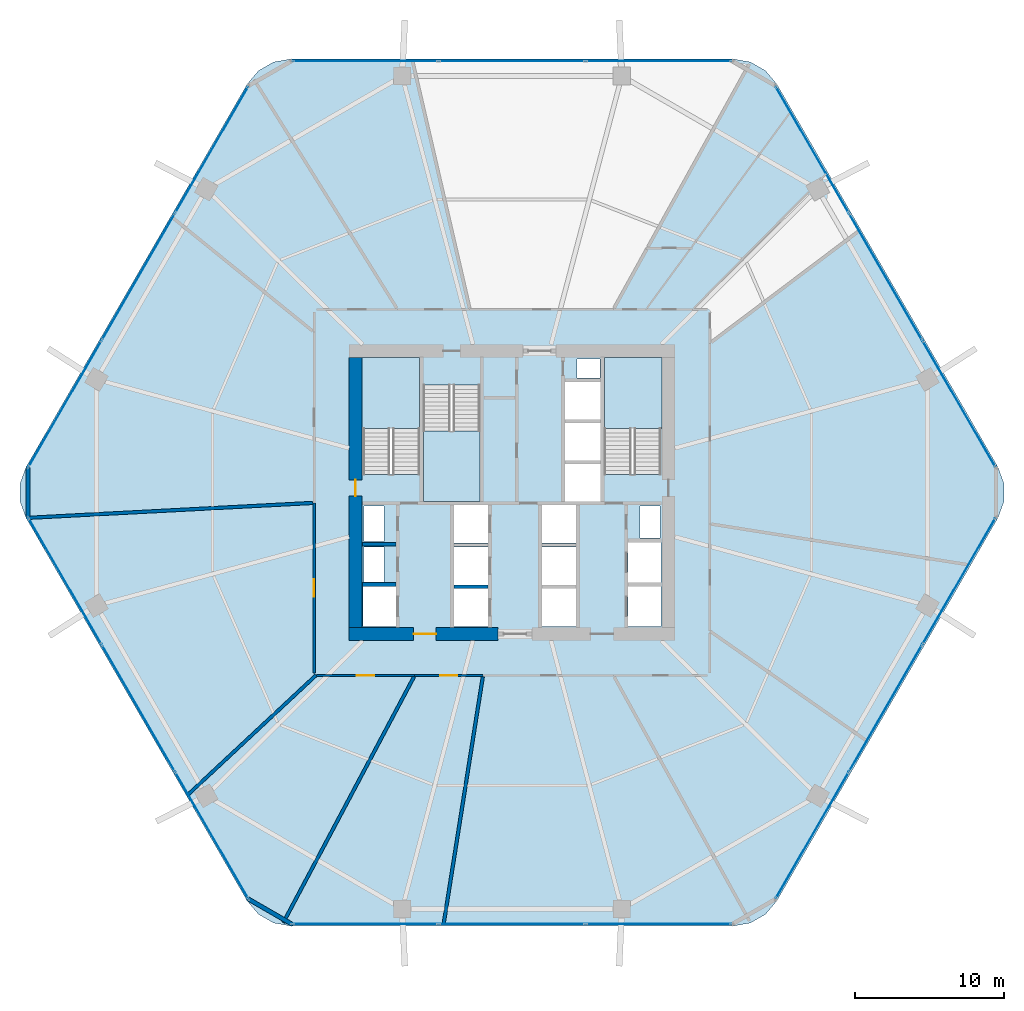
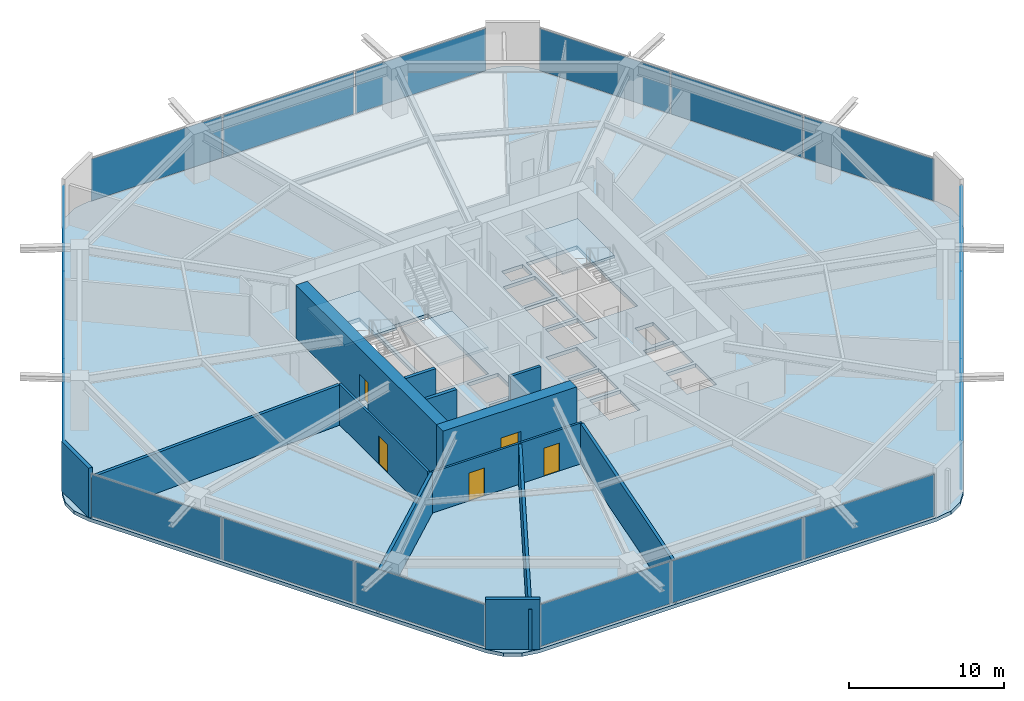
# One storey, part 21 of 26: 18 plates, 14 walls, 5 doors, 4 slabs, 5 openings, 9 elements without a shape of their own.
"""IFC4 building model written with IfcOpenShell, lengths in metres."""

from ifc_helpers import new_model, si_unit, direction, frame, frame_2d, origin, origin_2d, place, context, subcontext, project, spatial, polyline, rectangle, outline, extrude, material, layer, layer_set, type_object, element, fill, aggregate, save


model = new_model("IFC4")

# Units and contexts
model_context = context("Model", 3, precision=1e-05, world=origin(), true_north=direction((0.0, 1.0)))
body_context = subcontext(model_context, "Body", "Model", "MODEL_VIEW")
ifc_project = project(units=[si_unit("LENGTHUNIT", "METRE"), si_unit("AREAUNIT", "SQUARE_METRE"), si_unit("VOLUMEUNIT", "CUBIC_METRE"), si_unit("PLANEANGLEUNIT", "RADIAN"), si_unit("MASSUNIT", "GRAM", prefix="KILO")], contexts=[model_context])

# Site, building, storey
site_placement = place(None, origin())
site = spatial("IfcSite", under=ifc_project, at=site_placement, CompositionType="ELEMENT")
building_placement = place(site_placement, origin())
building = spatial("IfcBuilding", under=site, at=building_placement, Name="Zuhravey Tower", CompositionType="ELEMENT")
storey_placement = place(building_placement, frame((0.0, 0.0, 28.800048828125)))
storey = spatial("IfcBuildingStorey", under=building, at=storey_placement, Name="L07", CompositionType="ELEMENT", Elevation=28.800048828125)

# Curtain wall, plates
ifc_material_1 = material(Name="Thermally broken anodised aluminium", Category="aluminium")
curtain_wall_type = type_object("IfcCurtainWallType", Name="School Low-E Unitised Curtain Wall CW1", PredefinedType="NOTDEFINED", material=ifc_material_1)
curtain_wall_1_placement = place(storey_placement, origin())
curtain_wall_1 = element("IfcCurtainWall", 1, at=curtain_wall_1_placement, inside=storey, type_object=curtain_wall_type, Name="L07 CW1 CW-L07-F6-1", PredefinedType="NOTDEFINED")
ifc_material_2 = material(Name="Laminated acoustic low-E vision glass", Category="glass")
ifc_layer_1 = layer(ifc_material_2, 0.048095703125)
ifc_layer_set_1 = layer_set([ifc_layer_1], Name="Laminated acoustic low-E vision glass")
plate_type = type_object("IfcPlateType", Name="Acoustic School Vision Panel", PredefinedType="CURTAIN_PANEL", material=ifc_layer_set_1)
plate_1_placement = place(storey_placement, frame((66.000732421875, 26.045654296875, 0.08984375), z_axis=(0.0, 0.0, 1.0), x_axis=(-0.499999794119, -0.86602552265, 0.0)))
plate_1 = element("IfcPlate", 2, at=plate_1_placement, type_object=plate_type, Name="CW1 panel 1.1", PredefinedType="CURTAIN_PANEL", context=body_context, shape_type="SweptSolid", body=[
    extrude(rectangle(XDim=9.7314453125, YDim=0.048095703125, at=origin_2d()), origin(), (0.0, 0.0, 1.0), 3.31201171875),
])
plate_2_placement = place(storey_placement, frame((61.078857421875, 17.520751953125, 0.08984375), z_axis=(0.0, 0.0, 1.0), x_axis=(-0.499999794119, -0.86602552265, 0.0)))
plate_2 = element("IfcPlate", 3, at=plate_2_placement, type_object=plate_type, Name="CW1 panel 2.1", PredefinedType="CURTAIN_PANEL", context=body_context, shape_type="SweptSolid", body=[
    extrude(rectangle(XDim=9.7763671875, YDim=0.048095703125, at=origin_2d()), origin(), (0.0, 0.0, 1.0), 3.31201171875),
])
plate_3_placement = place(storey_placement, frame((56.15673828125, 8.995849609375, 0.08984375), z_axis=(0.0, 0.0, 1.0), x_axis=(-0.499999794119, -0.86602552265, 0.0)))
plate_3 = element("IfcPlate", 4, at=plate_3_placement, type_object=plate_type, Name="CW1 panel 3.1", PredefinedType="CURTAIN_PANEL", context=body_context, shape_type="SweptSolid", body=[
    extrude(rectangle(XDim=9.7314453125, YDim=0.048095703125, at=origin_2d()), origin(), (0.0, 0.0, 1.0), 3.31201171875),
])
aggregate(curtain_wall_1, [plate_1, plate_2, plate_3])

curtain_wall_2_placement = place(storey_placement, origin())
curtain_wall_2 = element("IfcCurtainWall", 5, at=curtain_wall_2_placement, inside=storey, type_object=curtain_wall_type, Name="L07 CW1 CW-L07-F5-1", PredefinedType="NOTDEFINED")
plate_4_placement = place(storey_placement, frame((45.84375, 3.04150390625, 0.08984375), z_axis=(0.0, 0.0, 1.0), x_axis=(-1.0, 0.0, 0.0)))
plate_4 = element("IfcPlate", 6, at=plate_4_placement, type_object=plate_type, Name="CW1 panel 1.1", PredefinedType="CURTAIN_PANEL", context=body_context, shape_type="SweptSolid", body=[
    extrude(rectangle(XDim=9.7314453125, YDim=0.048095703125, at=origin_2d()), origin(), (0.0, 0.0, 1.0), 3.31201171875),
])
plate_5_placement = place(storey_placement, frame((36.0, 3.04150390625, 0.08984375), z_axis=(0.0, 0.0, 1.0), x_axis=(-1.0, 0.0, 0.0)))
plate_5 = element("IfcPlate", 7, at=plate_5_placement, type_object=plate_type, Name="CW1 panel 2.1", PredefinedType="CURTAIN_PANEL", context=body_context, shape_type="SweptSolid", body=[
    extrude(rectangle(XDim=9.7763671875, YDim=0.048095703125, at=origin_2d()), origin(), (0.0, 0.0, 1.0), 3.31201171875),
])
plate_6_placement = place(storey_placement, frame((26.15625, 3.04150390625, 0.08984375), z_axis=(0.0, 0.0, 1.0), x_axis=(-1.0, 0.0, 0.0)))
plate_6 = element("IfcPlate", 8, at=plate_6_placement, type_object=plate_type, Name="CW1 panel 3.1", PredefinedType="CURTAIN_PANEL", context=body_context, shape_type="SweptSolid", body=[
    extrude(rectangle(XDim=9.7314453125, YDim=0.048095703125, at=origin_2d()), origin(), (0.0, 0.0, 1.0), 3.31201171875),
])
aggregate(curtain_wall_2, [plate_4, plate_5, plate_6])

curtain_wall_3_placement = place(storey_placement, origin())
curtain_wall_3 = element("IfcCurtainWall", 9, at=curtain_wall_3_placement, inside=storey, type_object=curtain_wall_type, Name="L07 CW1 CW-L07-F4-1", PredefinedType="NOTDEFINED")
plate_7_placement = place(storey_placement, frame((15.84326171875, 8.995849609375, 0.08984375), z_axis=(0.0, 0.0, 1.0), x_axis=(-0.499999794119, 0.86602552265, 0.0)))
plate_7 = element("IfcPlate", 10, at=plate_7_placement, type_object=plate_type, Name="CW1 panel 1.1", PredefinedType="CURTAIN_PANEL", context=body_context, shape_type="SweptSolid", body=[
    extrude(rectangle(XDim=9.7314453125, YDim=0.048095703125, at=origin_2d()), origin(), (0.0, 0.0, 1.0), 3.31201171875),
])
plate_8_placement = place(storey_placement, frame((10.921142578125, 17.520751953125, 0.08984375), z_axis=(0.0, 0.0, 1.0), x_axis=(-0.499999794119, 0.86602552265, 0.0)))
plate_8 = element("IfcPlate", 11, at=plate_8_placement, type_object=plate_type, Name="CW1 panel 2.1", PredefinedType="CURTAIN_PANEL", context=body_context, shape_type="SweptSolid", body=[
    extrude(rectangle(XDim=9.7763671875, YDim=0.048095703125, at=origin_2d()), origin(), (0.0, 0.0, 1.0), 3.31201171875),
])
plate_9_placement = place(storey_placement, frame((5.999267578125, 26.045654296875, 0.08984375), z_axis=(0.0, 0.0, 1.0), x_axis=(-0.499999794119, 0.86602552265, 0.0)))
plate_9 = element("IfcPlate", 12, at=plate_9_placement, type_object=plate_type, Name="CW1 panel 3.1", PredefinedType="CURTAIN_PANEL", context=body_context, shape_type="SweptSolid", body=[
    extrude(rectangle(XDim=9.7314453125, YDim=0.048095703125, at=origin_2d()), origin(), (0.0, 0.0, 1.0), 3.31201171875),
])
aggregate(curtain_wall_3, [plate_7, plate_8, plate_9])

curtain_wall_4_placement = place(storey_placement, origin())
curtain_wall_4 = element("IfcCurtainWall", 13, at=curtain_wall_4_placement, inside=storey, type_object=curtain_wall_type, Name="L07 CW1 CW-L07-F3-1", PredefinedType="NOTDEFINED")
plate_10_placement = place(storey_placement, frame((5.999267578125, 37.954345703125, 0.08984375), z_axis=(0.0, 0.0, 1.0), x_axis=(0.499999794119, 0.86602552265, 0.0)))
plate_10 = element("IfcPlate", 14, at=plate_10_placement, type_object=plate_type, Name="CW1 panel 1.1", PredefinedType="CURTAIN_PANEL", context=body_context, shape_type="SweptSolid", body=[
    extrude(rectangle(XDim=9.7314453125, YDim=0.048095703125, at=origin_2d()), origin(), (0.0, 0.0, 1.0), 3.31201171875),
])
plate_11_placement = place(storey_placement, frame((10.921142578125, 46.479248046875, 0.08984375), z_axis=(0.0, 0.0, 1.0), x_axis=(0.499999794119, 0.86602552265, 0.0)))
plate_11 = element("IfcPlate", 15, at=plate_11_placement, type_object=plate_type, Name="CW1 panel 2.1", PredefinedType="CURTAIN_PANEL", context=body_context, shape_type="SweptSolid", body=[
    extrude(rectangle(XDim=9.7763671875, YDim=0.048095703125, at=origin_2d()), origin(), (0.0, 0.0, 1.0), 3.31201171875),
])
plate_12_placement = place(storey_placement, frame((15.84326171875, 55.004150390625, 0.08984375), z_axis=(0.0, 0.0, 1.0), x_axis=(0.499999794119, 0.86602552265, 0.0)))
plate_12 = element("IfcPlate", 16, at=plate_12_placement, type_object=plate_type, Name="CW1 panel 3.1", PredefinedType="CURTAIN_PANEL", context=body_context, shape_type="SweptSolid", body=[
    extrude(rectangle(XDim=9.7314453125, YDim=0.048095703125, at=origin_2d()), origin(), (0.0, 0.0, 1.0), 3.31201171875),
])
aggregate(curtain_wall_4, [plate_10, plate_11, plate_12])

curtain_wall_5_placement = place(storey_placement, origin())
curtain_wall_5 = element("IfcCurtainWall", 17, at=curtain_wall_5_placement, inside=storey, type_object=curtain_wall_type, Name="L07 CW1 CW-L07-F2-1", PredefinedType="NOTDEFINED")
plate_13_placement = place(storey_placement, frame((26.15625, 60.95849609375, 0.08984375), z_axis=(0.0, 0.0, 1.0), x_axis=(1.0, 0.0, 0.0)))
plate_13 = element("IfcPlate", 18, at=plate_13_placement, type_object=plate_type, Name="CW1 panel 1.1", PredefinedType="CURTAIN_PANEL", context=body_context, shape_type="SweptSolid", body=[
    extrude(rectangle(XDim=9.7314453125, YDim=0.048095703125, at=origin_2d()), origin(), (0.0, 0.0, 1.0), 3.31201171875),
])
plate_14_placement = place(storey_placement, frame((36.0, 60.95849609375, 0.08984375), z_axis=(0.0, 0.0, 1.0), x_axis=(1.0, 0.0, 0.0)))
plate_14 = element("IfcPlate", 19, at=plate_14_placement, type_object=plate_type, Name="CW1 panel 2.1", PredefinedType="CURTAIN_PANEL", context=body_context, shape_type="SweptSolid", body=[
    extrude(rectangle(XDim=9.7763671875, YDim=0.048095703125, at=origin_2d()), origin(), (0.0, 0.0, 1.0), 3.31201171875),
])
plate_15_placement = place(storey_placement, frame((45.84375, 60.95849609375, 0.08984375), z_axis=(0.0, 0.0, 1.0), x_axis=(1.0, 0.0, 0.0)))
plate_15 = element("IfcPlate", 20, at=plate_15_placement, type_object=plate_type, Name="CW1 panel 3.1", PredefinedType="CURTAIN_PANEL", context=body_context, shape_type="SweptSolid", body=[
    extrude(rectangle(XDim=9.7314453125, YDim=0.048095703125, at=origin_2d()), origin(), (0.0, 0.0, 1.0), 3.31201171875),
])
aggregate(curtain_wall_5, [plate_13, plate_14, plate_15])

curtain_wall_6_placement = place(storey_placement, origin())
curtain_wall_6 = element("IfcCurtainWall", 21, at=curtain_wall_6_placement, inside=storey, type_object=curtain_wall_type, Name="L07 CW1 CW-L07-F1-1", PredefinedType="NOTDEFINED")
plate_16_placement = place(storey_placement, frame((56.15673828125, 55.004150390625, 0.08984375), z_axis=(0.0, 0.0, 1.0), x_axis=(0.499999794119, -0.86602552265, 0.0)))
plate_16 = element("IfcPlate", 22, at=plate_16_placement, type_object=plate_type, Name="CW1 panel 1.1", PredefinedType="CURTAIN_PANEL", context=body_context, shape_type="SweptSolid", body=[
    extrude(rectangle(XDim=9.7314453125, YDim=0.048095703125, at=origin_2d()), origin(), (0.0, 0.0, 1.0), 3.31201171875),
])
plate_17_placement = place(storey_placement, frame((61.078857421875, 46.479248046875, 0.08984375), z_axis=(0.0, 0.0, 1.0), x_axis=(0.499999794119, -0.86602552265, 0.0)))
plate_17 = element("IfcPlate", 23, at=plate_17_placement, type_object=plate_type, Name="CW1 panel 2.1", PredefinedType="CURTAIN_PANEL", context=body_context, shape_type="SweptSolid", body=[
    extrude(rectangle(XDim=9.7763671875, YDim=0.048095703125, at=origin_2d()), origin(), (0.0, 0.0, 1.0), 3.31201171875),
])
plate_18_placement = place(storey_placement, frame((66.000732421875, 37.954345703125, 0.08984375), z_axis=(0.0, 0.0, 1.0), x_axis=(0.499999794119, -0.86602552265, 0.0)))
plate_18 = element("IfcPlate", 24, at=plate_18_placement, type_object=plate_type, Name="CW1 panel 3.1", PredefinedType="CURTAIN_PANEL", context=body_context, shape_type="SweptSolid", body=[
    extrude(rectangle(XDim=9.7314453125, YDim=0.048095703125, at=origin_2d()), origin(), (0.0, 0.0, 1.0), 3.31201171875),
])
aggregate(curtain_wall_6, [plate_16, plate_17, plate_18])

# Slab
ifc_material_3 = material(Name="Concrete C50/60", Category="concrete")
ifc_layer_2 = layer(ifc_material_3, 0.280029296875)
ifc_layer_set_2 = layer_set([ifc_layer_2], Name="Concrete C50/60")
slab_type_1 = type_object("IfcSlabType", Name="School Composite Floor Slab 280", PredefinedType="FLOOR", material=ifc_layer_set_2)
slab_1_placement = place(storey_placement, frame((0.0, 0.0, -0.280029296875)))
element("IfcSlab", 25, at=slab_1_placement, inside=storey, type_object=slab_type_1, Name="L07 Floor Slab FS28", PredefinedType="FLOOR", context=body_context, shape_type="SweptSolid", body=[
    extrude(outline(polyline([(68.618408203125, 30.300048828125), (69.0224609375, 31.40966796875), (69.0224609375, 32.59033203125), (68.618408203125, 33.699951171875), (53.781494140625, 59.3984375), (53.0224609375, 60.302978515625), (52.0, 60.893310546875), (50.8369140625, 61.098388671875), (21.1630859375, 61.098388671875), (20.0, 60.893310546875), (18.9775390625, 60.302978515625), (18.218505859375, 59.3984375), (3.381591796875, 33.699951171875), (2.9775390625, 32.59033203125), (2.9775390625, 31.40966796875), (3.381591796875, 30.300048828125), (18.218505859375, 4.6015625), (18.9775390625, 3.697021484375), (20.0, 3.106689453125), (21.1630859375, 2.901611328125), (50.8369140625, 2.901611328125), (52.0, 3.106689453125), (53.0224609375, 3.697021484375), (53.781494140625, 4.6015625), (68.618408203125, 30.300048828125)]), holes=[polyline([(29.800048828125, 33.20068359375), (29.800048828125, 41.0), (26.0, 41.0), (26.0, 33.20068359375), (29.800048828125, 33.20068359375)]), polyline([(46.0, 33.20068359375), (46.0, 41.0), (42.199951171875, 41.0), (42.199951171875, 33.20068359375), (46.0, 33.20068359375)]), polyline([(30.050048828125, 39.199462890625), (30.050048828125, 31.39990234375), (33.85009765625, 31.39990234375), (33.85009765625, 39.199462890625), (30.050048828125, 39.199462890625)]), polyline([(32.10009765625, 23.0), (34.39990234375, 23.0), (34.39990234375, 25.550048828125), (32.10009765625, 25.550048828125), (32.10009765625, 23.0)]), polyline([(32.10009765625, 25.800048828125), (34.39990234375, 25.800048828125), (34.39990234375, 28.35009765625), (32.10009765625, 28.35009765625), (32.10009765625, 25.800048828125)]), polyline([(32.10009765625, 28.60009765625), (34.39990234375, 28.60009765625), (34.39990234375, 31.14990234375), (32.10009765625, 31.14990234375), (32.10009765625, 28.60009765625)]), polyline([(38.0, 23.0), (40.300048828125, 23.0), (40.300048828125, 25.550048828125), (38.0, 25.550048828125), (38.0, 23.0)]), polyline([(38.0, 25.800048828125), (40.300048828125, 25.800048828125), (40.300048828125, 28.35009765625), (38.0, 28.35009765625), (38.0, 25.800048828125)]), polyline([(38.0, 28.60009765625), (40.300048828125, 28.60009765625), (40.300048828125, 31.14990234375), (38.0, 31.14990234375), (38.0, 28.60009765625)]), polyline([(39.550048828125, 31.39990234375), (41.949951171875, 31.39990234375), (41.949951171875, 33.89990234375), (39.550048828125, 33.89990234375), (39.550048828125, 31.39990234375)]), polyline([(39.550048828125, 34.14990234375), (41.949951171875, 34.14990234375), (41.949951171875, 36.64990234375), (39.550048828125, 36.64990234375), (39.550048828125, 34.14990234375)]), polyline([(39.550048828125, 36.89990234375), (41.949951171875, 36.89990234375), (41.949951171875, 39.39990234375), (39.550048828125, 39.39990234375), (39.550048828125, 36.89990234375)]), polyline([(26.0, 23.0), (28.199951171875, 23.0), (28.199951171875, 25.699951171875), (26.0, 25.699951171875), (26.0, 23.0)]), polyline([(43.800048828125, 23.0), (46.0, 23.0), (46.0, 25.699951171875), (43.800048828125, 25.699951171875), (43.800048828125, 23.0)]), polyline([(43.800048828125, 25.949951171875), (46.0, 25.949951171875), (46.0, 28.64990234375), (43.800048828125, 28.64990234375), (43.800048828125, 25.949951171875)]), polyline([(26.050048828125, 26.0), (27.39990234375, 26.0), (27.39990234375, 28.35009765625), (26.050048828125, 28.35009765625), (26.050048828125, 26.0)]), polyline([(26.050048828125, 28.699951171875), (27.39990234375, 28.699951171875), (27.39990234375, 31.10009765625), (26.050048828125, 31.10009765625), (26.050048828125, 28.699951171875)]), polyline([(44.60009765625, 28.949951171875), (45.949951171875, 28.949951171875), (45.949951171875, 31.10009765625), (44.60009765625, 31.10009765625), (44.60009765625, 28.949951171875)]), polyline([(40.35009765625, 39.699951171875), (41.89990234375, 39.699951171875), (41.89990234375, 40.949951171875), (40.35009765625, 40.949951171875), (40.35009765625, 39.699951171875)])]), origin(), (0.0, 0.0, 1.0), 0.280029296875),
])

# Stair, slab
ifc_material_4 = material(Name="Concrete C40/50", Category="concrete")
stair_type = type_object("IfcStairType", Name="School Storey Stair Assembly 4200", PredefinedType="HALF_TURN_STAIR", material=ifc_material_4)
stair_1_placement = place(storey_placement, origin())
stair_1 = element("IfcStair", 26, at=stair_1_placement, inside=storey, type_object=stair_type, Name="L07 Core Exit Stair ST1", PredefinedType="HALF_TURN_STAIR")
ifc_layer_3 = layer(ifc_material_4, 0.199951171875)
ifc_layer_set_3 = layer_set([ifc_layer_3], Name="Concrete C40/50")
slab_type_2 = type_object("IfcSlabType", Name="Stair Landing Slab 200", PredefinedType="LANDING", material=ifc_layer_set_3)
slab_2_placement = place(storey_placement, frame((0.0, 0.0, 1.89990234375)))
slab_2 = element("IfcSlab", 27, at=slab_2_placement, type_object=slab_type_2, Name="ST1 landing 1", PredefinedType="LANDING", context=body_context, shape_type="SweptSolid", body=[
    extrude(outline(polyline([(29.800048828125, 36.280029296875), (29.800048828125, 41.072998046875), (25.927001953125, 41.072998046875), (25.927001953125, 36.280029296875), (29.800048828125, 36.280029296875)])), origin(), (0.0, 0.0, 1.0), 0.199951171875),
])
aggregate(stair_1, [slab_2])

stair_2_placement = place(storey_placement, origin())
stair_2 = element("IfcStair", 28, at=stair_2_placement, inside=storey, type_object=stair_type, Name="L07 Core Exit Stair ST2", PredefinedType="HALF_TURN_STAIR")
slab_3_placement = place(storey_placement, frame((0.0, 0.0, 1.89990234375)))
slab_3 = element("IfcSlab", 29, at=slab_3_placement, type_object=slab_type_2, Name="ST2 landing 1", PredefinedType="LANDING", context=body_context, shape_type="SweptSolid", body=[
    extrude(outline(polyline([(46.072998046875, 36.280029296875), (46.072998046875, 41.072998046875), (42.199951171875, 41.072998046875), (42.199951171875, 36.280029296875), (46.072998046875, 36.280029296875)])), origin(), (0.0, 0.0, 1.0), 0.199951171875),
])
aggregate(stair_2, [slab_3])

stair_3_placement = place(storey_placement, origin())
stair_3 = element("IfcStair", 30, at=stair_3_placement, inside=storey, type_object=stair_type, Name="L07 Core Exit Stair ST3", PredefinedType="HALF_TURN_STAIR")
slab_4_placement = place(storey_placement, frame((0.0, 0.0, 1.89990234375)))
slab_4 = element("IfcSlab", 31, at=slab_4_placement, type_object=slab_type_2, Name="ST3 landing 1", PredefinedType="LANDING", context=body_context, shape_type="SweptSolid", body=[
    extrude(outline(polyline([(30.050048828125, 36.1201171875), (30.050048828125, 31.39990234375), (33.85009765625, 31.39990234375), (33.85009765625, 36.1201171875), (30.050048828125, 36.1201171875)])), origin(), (0.0, 0.0, 1.0), 0.199951171875),
])
aggregate(stair_3, [slab_4])

# Wall, opening, door
ifc_material_5 = material(Name="Concrete C60/75", Category="concrete")
ifc_layer_4 = layer(ifc_material_5, 0.85009765625)
ifc_layer_set_4 = layer_set([ifc_layer_4], Name="Concrete C60/75")
wall_type_1 = type_object("IfcWallType", Name="Core Shear Wall 850", PredefinedType="SHEAR", material=ifc_layer_set_4)
wall_1_placement = place(storey_placement, frame((25.074951171875, 22.5, 0.0), z_axis=(0.0, 0.0, 1.0), x_axis=(1.0, 0.0, 0.0)))
wall_1 = element("IfcWall", 32, at=wall_1_placement, inside=storey, type_object=wall_type_1, Name="L07 South-West Core Shear Wall CW85", PredefinedType="SHEAR", context=body_context, shape_type="SweptSolid", body=[
    extrude(rectangle(XDim=9.97509765625, YDim=0.85009765625, at=frame_2d((4.987548828125, 0.0))), origin(), (0.0, 0.0, 1.0), 4.199951171875),
])
opening_1_placement = place(wall_1_placement, frame((4.324951171875, 0.0, 0.0)))
opening_1 = element("IfcOpeningElement", 33, at=opening_1_placement, cuts=wall_1, Name="Opening FFD1", PredefinedType="OPENING", context=body_context, shape_type="SweptSolid", body=[
    extrude(rectangle(XDim=1.5, YDim=2.14990234375, at=frame_2d((0.75, 1.074951171875))), frame((0.0, 0.43701171875, 0.0), z_axis=(0.0, -1.0, 0.0), x_axis=(1.0, 0.0, 0.0)), (0.0, 0.0, 1.0), 0.8740234375),
])
ifc_material_6 = material(Name="Galvanised fire-rated steel leaf", Category="steel")
door_type_1 = type_object("IfcDoorType", Name="Firefighting Lobby Double Door 1500x2150", OperationType="DOUBLE_DOOR_SINGLE_SWING", PredefinedType="DOOR", material=ifc_material_6)
door_1_placement = place(opening_1_placement, origin())
door_1 = element("IfcDoor", 34, at=door_1_placement, inside=storey, type_object=door_type_1, Name="L07 Firefighting Lobby West Door", OperationType="DOUBLE_DOOR_SINGLE_SWING", OverallHeight=2.14990234375, OverallWidth=1.5, PredefinedType="DOOR", context=body_context, shape_type="SweptSolid", body=[
    extrude(rectangle(XDim=1.5, YDim=2.14990234375, at=frame_2d((0.75, 1.074951171875))), frame((0.0, 0.02490234375, 0.0), z_axis=(0.0, -1.0, 0.0), x_axis=(1.0, 0.0, 0.0)), (0.0, 0.0, 1.0), 0.050048828125),
])
fill(opening_1, door_1)

wall_2_placement = place(storey_placement, frame((25.5, 22.925048828125, 0.0), z_axis=(0.0, 0.0, 1.0), x_axis=(0.0, 1.0, 0.0)))
wall_2 = element("IfcWall", 35, at=wall_2_placement, inside=storey, type_object=wall_type_1, Name="L07 West Core Shear Wall CW85", PredefinedType="SHEAR", context=body_context, shape_type="SweptSolid", body=[
    extrude(rectangle(XDim=18.14990234375, YDim=0.85009765625, at=frame_2d((9.074951171875, 0.0))), origin(), (0.0, 0.0, 1.0), 4.199951171875),
])
opening_2_placement = place(wall_2_placement, frame((8.824951171875, 0.0, 0.0)))
opening_2 = element("IfcOpeningElement", 36, at=opening_2_placement, cuts=wall_2, Name="Opening STD1", PredefinedType="OPENING", context=body_context, shape_type="SweptSolid", body=[
    extrude(rectangle(XDim=1.10009765625, YDim=2.14990234375, at=frame_2d((0.550048828125, 1.074951171875))), frame((0.0, 0.43701171875, 0.0), z_axis=(0.0, -1.0, 0.0), x_axis=(1.0, 0.0, 0.0)), (0.0, 0.0, 1.0), 0.8740234375),
])
door_type_2 = type_object("IfcDoorType", Name="Protected Stair Fire Door 1100x2150", OperationType="NOTDEFINED", PredefinedType="USERDEFINED", material=ifc_material_6)
door_2_placement = place(opening_2_placement, frame((1.10009765625, 0.0, 0.0), z_axis=(0.0, 0.0, 1.0), x_axis=(-1.0, 0.0, 0.0)))
door_2 = element("IfcDoor", 37, at=door_2_placement, inside=storey, type_object=door_type_2, Name="L07 Stair ST1 Door", ObjectType="EXITDOOR", OperationType="SINGLE_SWING_RIGHT", OverallHeight=2.14990234375, OverallWidth=1.10009765625, PredefinedType="USERDEFINED", context=body_context, shape_type="SweptSolid", body=[
    extrude(rectangle(XDim=1.10009765625, YDim=2.14990234375, at=frame_2d((0.550048828125, 1.074951171875))), frame((0.0, 0.02490234375, 0.0), z_axis=(0.0, -1.0, 0.0), x_axis=(1.0, 0.0, 0.0)), (0.0, 0.0, 1.0), 0.050048828125),
])
fill(opening_2, door_2)

ifc_material_7 = material(Name="Gypsum fire-rated stud partition")
ifc_layer_5 = layer(ifc_material_7, 0.159912109375)
ifc_layer_set_5 = layer_set([ifc_layer_5], Name="Gypsum fire-rated stud partition")
wall_type_2 = type_object("IfcWallType", Name="Corridor Fire Partition 160", PredefinedType="PARTITIONING", material=ifc_layer_set_5)
wall_3_placement = place(storey_placement, frame((22.715087890625, 31.3037109375, 0.0), z_axis=(0.0, 0.0, 1.0), x_axis=(0.0, -1.0, 0.0)))
wall_3 = element("IfcWall", 38, at=wall_3_placement, inside=storey, type_object=wall_type_2, Name="L07 IW16 Partition 027", PredefinedType="PARTITIONING", context=body_context, shape_type="SweptSolid", body=[
    extrude(rectangle(XDim=11.4287109375, YDim=0.159912109375, at=frame_2d((5.71435546875, 0.0))), origin(), (0.0, 0.0, 1.0), 3.219970703125),
])
opening_3_placement = place(wall_3_placement, frame((5.139404296875, 0.0, 0.0)))
opening_3 = element("IfcOpeningElement", 39, at=opening_3_placement, cuts=wall_3, Name="Opening CLD1", PredefinedType="OPENING", context=body_context, shape_type="SweptSolid", body=[
    extrude(rectangle(XDim=1.14990234375, YDim=2.199951171875, at=frame_2d((0.574951171875, 1.10009765625))), frame((0.0, 0.092041015625, 0.0), z_axis=(0.0, -1.0, 0.0), x_axis=(1.0, 0.0, 0.0)), (0.0, 0.0, 1.0), 0.183837890625),
])
ifc_material_8 = material(Name="Acoustic timber leaf with vision lite", Category="wood")
door_type_3 = type_object("IfcDoorType", Name="Classroom Acoustic Door 1150x2200", OperationType="NOTDEFINED", PredefinedType="DOOR", material=ifc_material_8)
door_3_placement = place(opening_3_placement, frame((1.14990234375, 0.0, 0.0), z_axis=(0.0, 0.0, 1.0), x_axis=(-1.0, 0.0, 0.0)))
door_3 = element("IfcDoor", 40, at=door_3_placement, inside=storey, type_object=door_type_3, Name="L07 Door 027.1", OperationType="SINGLE_SWING_RIGHT", OverallHeight=2.199951171875, OverallWidth=1.14990234375, PredefinedType="DOOR", context=body_context, shape_type="SweptSolid", body=[
    extrude(rectangle(XDim=1.14990234375, YDim=2.199951171875, at=frame_2d((0.574951171875, 1.10009765625))), frame((0.0, 0.02490234375, 0.0), z_axis=(0.0, -1.0, 0.0), x_axis=(1.0, 0.0, 0.0)), (0.0, 0.0, 1.0), 0.050048828125),
])
fill(opening_3, door_3)

wall_4_placement = place(storey_placement, frame((22.875, 19.715087890625, 0.0), z_axis=(0.0, 0.0, 1.0), x_axis=(1.0, 0.0, 0.0)))
wall_4 = element("IfcWall", 41, at=wall_4_placement, inside=storey, type_object=wall_type_2, Name="L07 IW16 Partition 028", PredefinedType="PARTITIONING", context=body_context, shape_type="SweptSolid", body=[
    extrude(rectangle(XDim=6.593017578125, YDim=0.159912109375, at=frame_2d((3.29638671875, 0.0))), origin(), (0.0, 0.0, 1.0), 3.219970703125),
])
opening_4_placement = place(wall_4_placement, frame((2.721435546875, 0.0, 0.0)))
opening_4 = element("IfcOpeningElement", 42, at=opening_4_placement, cuts=wall_4, Name="Opening CLD1", PredefinedType="OPENING", context=body_context, shape_type="SweptSolid", body=[
    extrude(rectangle(XDim=1.14990234375, YDim=2.199951171875, at=frame_2d((0.574951171875, 1.10009765625))), frame((0.0, 0.092041015625, 0.0), z_axis=(0.0, -1.0, 0.0), x_axis=(1.0, 0.0, 0.0)), (0.0, 0.0, 1.0), 0.183837890625),
])
door_4_placement = place(opening_4_placement, frame((1.14990234375, 0.0, 0.0), z_axis=(0.0, 0.0, 1.0), x_axis=(-1.0, 0.0, 0.0)))
door_4 = element("IfcDoor", 43, at=door_4_placement, inside=storey, type_object=door_type_3, Name="L07 Door 028.1", OperationType="SINGLE_SWING_LEFT", OverallHeight=2.199951171875, OverallWidth=1.14990234375, PredefinedType="DOOR", context=body_context, shape_type="SweptSolid", body=[
    extrude(rectangle(XDim=1.14990234375, YDim=2.199951171875, at=frame_2d((0.574951171875, 1.10009765625))), frame((0.0, 0.02490234375, 0.0), z_axis=(0.0, -1.0, 0.0), x_axis=(1.0, 0.0, 0.0)), (0.0, 0.0, 1.0), 0.050048828125),
])
fill(opening_4, door_4)

wall_5_placement = place(storey_placement, frame((29.468017578125, 19.715087890625, 0.0), z_axis=(0.0, 0.0, 1.0), x_axis=(1.0, 0.0, 0.0)))
wall_5 = element("IfcWall", 44, at=wall_5_placement, inside=storey, type_object=wall_type_2, Name="L07 IW16 Partition 029", PredefinedType="PARTITIONING", context=body_context, shape_type="SweptSolid", body=[
    extrude(rectangle(XDim=4.586181640625, YDim=0.159912109375, at=frame_2d((2.29296875, 0.0))), origin(), (0.0, 0.0, 1.0), 3.219970703125),
])
opening_5_placement = place(wall_5_placement, frame((1.71826171875, 0.0, 0.0)))
opening_5 = element("IfcOpeningElement", 45, at=opening_5_placement, cuts=wall_5, Name="Opening CLD1", PredefinedType="OPENING", context=body_context, shape_type="SweptSolid", body=[
    extrude(rectangle(XDim=1.14990234375, YDim=2.199951171875, at=frame_2d((0.574951171875, 1.10009765625))), frame((0.0, 0.092041015625, 0.0), z_axis=(0.0, -1.0, 0.0), x_axis=(1.0, 0.0, 0.0)), (0.0, 0.0, 1.0), 0.183837890625),
])
door_5_placement = place(opening_5_placement, frame((1.14990234375, 0.0, 0.0), z_axis=(0.0, 0.0, 1.0), x_axis=(-1.0, 0.0, 0.0)))
door_5 = element("IfcDoor", 46, at=door_5_placement, inside=storey, type_object=door_type_3, Name="L07 Door 029.1", OperationType="SINGLE_SWING_RIGHT", OverallHeight=2.199951171875, OverallWidth=1.14990234375, PredefinedType="DOOR", context=body_context, shape_type="SweptSolid", body=[
    extrude(rectangle(XDim=1.14990234375, YDim=2.199951171875, at=frame_2d((0.574951171875, 1.10009765625))), frame((0.0, 0.02490234375, 0.0), z_axis=(0.0, -1.0, 0.0), x_axis=(1.0, 0.0, 0.0)), (0.0, 0.0, 1.0), 0.050048828125),
])
fill(opening_5, door_5)

# Walls
ifc_material_9 = material(Name="Precast concrete C40/50", Category="concrete")
ifc_layer_6 = layer(ifc_material_9, 0.280029296875)
ifc_layer_set_6 = layer_set([ifc_layer_6], Name="Precast concrete C40/50")
wall_type_3 = type_object("IfcWallType", Name="Crown Architectural Wall 280", PredefinedType="SOLIDWALL", material=ifc_layer_set_6)
wall_6_placement = place(storey_placement, frame((21.28271484375, 2.993896484375, 0.0), z_axis=(0.0, 0.0, 1.0), x_axis=(-0.866007452331, 0.500031091541, 0.0)))
element("IfcWall", 47, at=wall_6_placement, inside=storey, type_object=wall_type_3, Name="L07 Rounded Corner Closure Wall EW28-04", PredefinedType="SOLIDWALL", context=body_context, shape_type="SweptSolid", body=[
    extrude(rectangle(XDim=3.514892578125, YDim=0.280029296875, at=frame_2d((1.75732421875, 0.0))), origin(), (0.0, 0.0, 1.0), 3.919921875),
])
wall_7_placement = place(storey_placement, frame((3.521484375, 30.242431640625, 0.0), z_axis=(0.0, 0.0, 1.0), x_axis=(0.0, 1.0, 0.0)))
element("IfcWall", 48, at=wall_7_placement, inside=storey, type_object=wall_type_3, Name="L07 Rounded Corner Closure Wall EW28-06", PredefinedType="SOLIDWALL", context=body_context, shape_type="SweptSolid", body=[
    extrude(rectangle(XDim=3.51513671875, YDim=0.280029296875, at=frame_2d((1.757568359375, 0.0))), origin(), (0.0, 0.0, 1.0), 3.919921875),
])
ifc_layer_7 = layer(ifc_material_3, 0.25)
ifc_layer_set_7 = layer_set([ifc_layer_7], Name="Concrete C50/60")
wall_type_4 = type_object("IfcWallType", Name="Firefighting Shaft & Stair Wall 250", PredefinedType="SOLIDWALL", material=ifc_layer_set_7)
for number, where, z_axis, x_axis, name in (
    (49, (25.949951171875, 25.824951171875, 0.0), (0.0, 0.0, 1.0), (1.0, 0.0, 0.0), "L07 FW25 Shaft Wall 009"),
    (50, (25.949951171875, 28.52490234375, 0.0), (0.0, 0.0, 1.0), (1.0, 0.0, 0.0), "L07 FW25 Shaft Wall 010"),
):
    element("IfcWall", number, at=place(storey_placement, frame(where, z_axis=z_axis, x_axis=x_axis)), inside=storey, type_object=wall_type_4, Name=name, PredefinedType="SOLIDWALL", context=body_context, shape_type="SweptSolid", body=[
        extrude(rectangle(XDim=2.25, YDim=0.25, at=frame_2d((1.125, 0.0))), origin(), (0.0, 0.0, 1.0), 4.199951171875),
    ])
ifc_material_10 = material(Name="Gypsum acoustic stud assembly")
ifc_layer_8 = layer(ifc_material_10, 0.219970703125)
ifc_layer_set_8 = layer_set([ifc_layer_8], Name="Gypsum acoustic stud assembly")
wall_type_5 = type_object("IfcWallType", Name="School Acoustic Compartment Wall 220", PredefinedType="PARTITIONING", material=ifc_layer_set_8)
wall_8_placement = place(storey_placement, frame((32.10791015625, 25.675048828125, 0.0), z_axis=(0.0, 0.0, 1.0), x_axis=(1.0, 0.0, 0.0)))
element("IfcWall", 51, at=wall_8_placement, inside=storey, type_object=wall_type_5, Name="L07 IW22 Partition 038", PredefinedType="PARTITIONING", context=body_context, shape_type="SweptSolid", body=[
    extrude(rectangle(XDim=2.2841796875, YDim=0.219970703125, at=frame_2d((1.14208984375, 0.0))), origin(), (0.0, 0.0, 1.0), 3.919921875),
])
wall_9_placement = place(storey_placement, frame((22.626953125, 31.299072265625, 0.0), z_axis=(0.0, 0.0, 1.0), x_axis=(-0.99862983793, -0.052330170999, 0.0)))
element("IfcWall", 52, at=wall_9_placement, inside=storey, type_object=wall_type_5, Name="L07 IW22 Partition 054", PredefinedType="PARTITIONING", context=body_context, shape_type="SweptSolid", body=[
    extrude(rectangle(XDim=19.109375, YDim=0.219970703125, at=frame_2d((9.5546875, 0.0))), origin(), (0.0, 0.0, 1.0), 3.169921875),
])
wall_10_placement = place(storey_placement, frame((22.849853515625, 19.7373046875, 0.0), z_axis=(0.0, 0.0, 1.0), x_axis=(-0.731360864489, -0.681990678744, 0.0)))
element("IfcWall", 53, at=wall_10_placement, inside=storey, type_object=wall_type_5, Name="L07 IW22 Partition 055", PredefinedType="PARTITIONING", context=body_context, shape_type="SweptSolid", body=[
    extrude(rectangle(XDim=11.73974609375, YDim=0.219970703125, at=frame_2d((5.869873046875, 0.0))), origin(), (0.0, 0.0, 1.0), 3.169921875),
])
wall_11_placement = place(storey_placement, frame((29.421142578125, 19.626953125, 0.0), z_axis=(0.0, 0.0, 1.0), x_axis=(-0.469469908408, -0.882948472505, 0.0)))
element("IfcWall", 54, at=wall_11_placement, inside=storey, type_object=wall_type_5, Name="L07 IW22 Partition 056", PredefinedType="PARTITIONING", context=body_context, shape_type="SweptSolid", body=[
    extrude(rectangle(XDim=18.6796875, YDim=0.219970703125, at=frame_2d((9.33984375, 0.0))), origin(), (0.0, 0.0, 1.0), 3.169921875),
])
wall_12_placement = place(storey_placement, frame((34.040283203125, 19.626953125, 0.0), z_axis=(0.0, 0.0, 1.0), x_axis=(-0.156438882107, -0.98768764099, 0.0)))
element("IfcWall", 55, at=wall_12_placement, inside=storey, type_object=wall_type_5, Name="L07 IW22 Partition 057", PredefinedType="PARTITIONING", context=body_context, shape_type="SweptSolid", body=[
    extrude(rectangle(XDim=16.792236328125, YDim=0.219970703125, at=frame_2d((8.39599609375, 0.0))), origin(), (0.0, 0.0, 1.0), 3.169921875),
])

save(model, "model.ifc")
